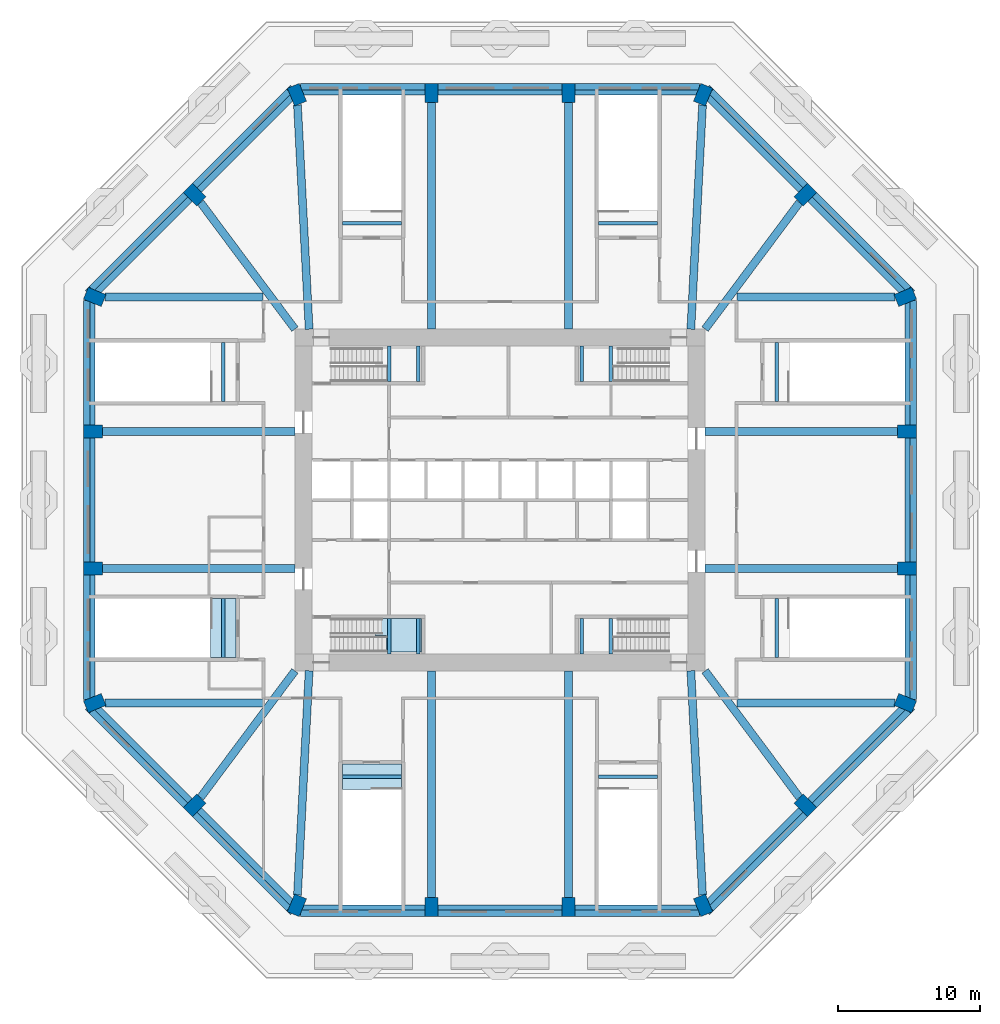
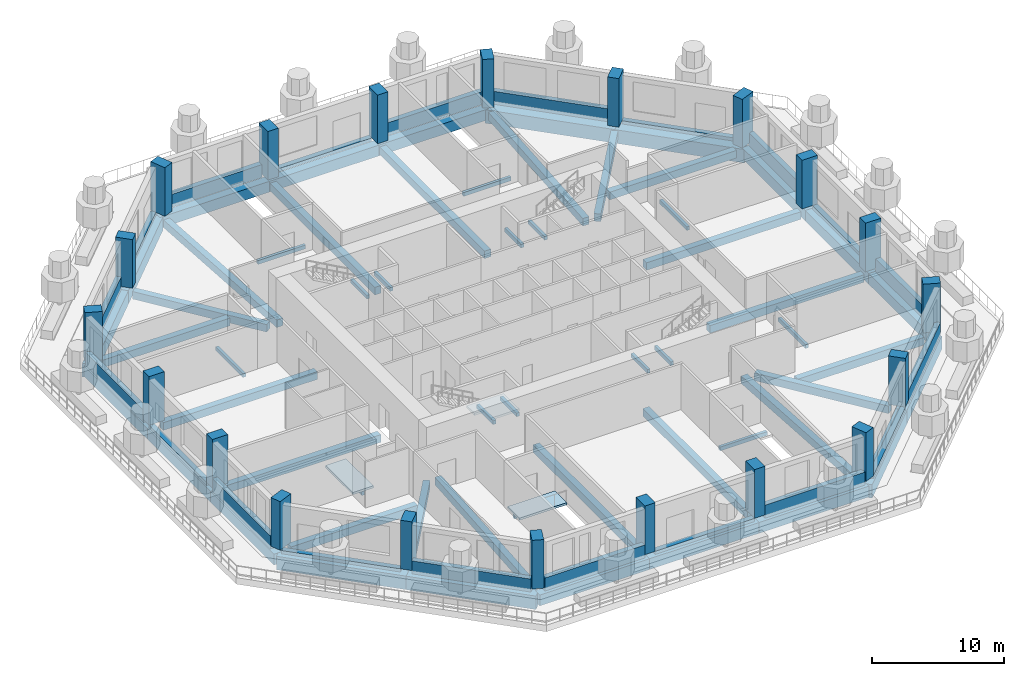
# One storey, part 1 of 13: 76 beams, 20 columns, 3 slabs, 1 element without a shape of its own.
"""IFC4 building model written with IfcOpenShell, lengths in metres."""

from ifc_helpers import new_model, si_unit, direction, frame, origin, origin_2d, place, context, subcontext, project, spatial, polyline, rectangle, outline, extrude, material, layer, layer_set, material_profile, profile_set, type_object, element, aggregate, save


model = new_model("IFC4")

# Units and contexts
model_context = context("Model", 3, precision=1e-05, world=origin(), true_north=direction((0.0, 1.0)))
body_context = subcontext(model_context, "Body", "Model", "MODEL_VIEW")
ifc_project = project(units=[si_unit("LENGTHUNIT", "METRE"), si_unit("AREAUNIT", "SQUARE_METRE"), si_unit("VOLUMEUNIT", "CUBIC_METRE"), si_unit("PLANEANGLEUNIT", "RADIAN"), si_unit("MASSUNIT", "GRAM", prefix="KILO")], contexts=[model_context])

# Site, building, storey
site_placement = place(None, origin())
site = spatial("IfcSite", under=ifc_project, at=site_placement, CompositionType="ELEMENT")
building_placement = place(site_placement, origin())
building = spatial("IfcBuilding", under=site, at=building_placement, Name="Msitu Wima Residences", CompositionType="ELEMENT")
storey_placement = place(building_placement, frame((0.0, 0.0, 21.0)))
storey = spatial("IfcBuildingStorey", under=building, at=storey_placement, Name="L04", CompositionType="ELEMENT", Elevation=21.0)

# Columns
ifc_material_1 = material(Name="Concrete C80/95", Category="concrete")
ifc_material_profile_1 = material_profile(ifc_material_1, rectangle(XDim=0.89990234375, YDim=1.35009765625, at=origin_2d()), Name="RC 900x1350")
ifc_profile_set_1 = profile_set([ifc_material_profile_1], Name="Concrete C80/95")
column_type = type_object("IfcColumnType", Name="Column RC 900x1350 Concrete C80/95", PredefinedType="COLUMN", material=ifc_profile_set_1)
for number, where, z_axis, x_axis, name in (
    (1, (28.4541015625, -14.2568359375, 0.0), (0.0, 0.0, 1.0), (0.382683496864, 0.923879505795, 0.0), "Column L04 C-E0"),
    (2, (28.574951171875, -4.800048828125, 0.0), (0.0, 0.0, 1.0), (0.0, 1.0, 0.0), "Column L04 C-E1"),
    (3, (28.574951171875, 4.800048828125, 0.0), (0.0, 0.0, 1.0), (0.0, 1.0, 0.0), "Column L04 C-E2"),
    (4, (28.4541015625, 14.2568359375, 0.0), (0.0, 0.0, 1.0), (-0.382683496864, 0.923879505795, 0.0), "Column L04 C-NE0"),
    (5, (21.44091796875, 21.44091796875, 0.0), (0.0, 0.0, 1.0), (-0.707106781187, 0.707106781187, 0.0), "Column L04 C-NE1"),
    (6, (14.2568359375, 28.4541015625, 0.0), (0.0, 0.0, 1.0), (-0.923879505795, 0.382683496864, 0.0), "Column L04 C-N0"),
    (7, (4.800048828125, 28.574951171875, 0.0), (0.0, 0.0, 1.0), (-1.0, 0.0, 0.0), "Column L04 C-N1"),
    (8, (-4.800048828125, 28.574951171875, 0.0), (0.0, 0.0, 1.0), (-1.0, 0.0, 0.0), "Column L04 C-N2"),
    (9, (-14.2568359375, 28.4541015625, 0.0), (0.0, 0.0, 1.0), (-0.923879505795, -0.382683496864, 0.0), "Column L04 C-NW0"),
    (10, (-21.44091796875, 21.44091796875, 0.0), (0.0, 0.0, 1.0), (-0.707106781187, -0.707106781187, 0.0), "Column L04 C-NW1"),
    (11, (-28.4541015625, 14.2568359375, 0.0), (0.0, 0.0, 1.0), (-0.382683496864, -0.923879505795, 0.0), "Column L04 C-W0"),
    (12, (-28.574951171875, 4.800048828125, 0.0), (0.0, 0.0, 1.0), (0.0, -1.0, 0.0), "Column L04 C-W1"),
    (13, (-28.574951171875, -4.800048828125, 0.0), (0.0, 0.0, 1.0), (0.0, -1.0, 0.0), "Column L04 C-W2"),
    (14, (-28.4541015625, -14.2568359375, 0.0), (0.0, 0.0, 1.0), (0.382683496864, -0.923879505795, 0.0), "Column L04 C-SW0"),
    (15, (-21.44091796875, -21.44091796875, 0.0), (0.0, 0.0, 1.0), (0.707106781187, -0.707106781187, 0.0), "Column L04 C-SW1"),
    (16, (-14.2568359375, -28.4541015625, 0.0), (0.0, 0.0, 1.0), (0.923879505795, -0.382683496864, 0.0), "Column L04 C-S0"),
    (17, (-4.800048828125, -28.574951171875, 0.0), (0.0, 0.0, 1.0), (1.0, 0.0, 0.0), "Column L04 C-S1"),
    (18, (4.800048828125, -28.574951171875, 0.0), (0.0, 0.0, 1.0), (1.0, 0.0, 0.0), "Column L04 C-S2"),
    (19, (14.2568359375, -28.4541015625, 0.0), (0.0, 0.0, 1.0), (0.923879505795, 0.382683496864, 0.0), "Column L04 C-SE0"),
    (20, (21.44091796875, -21.44091796875, 0.0), (0.0, 0.0, 1.0), (0.707106781187, 0.707106781187, 0.0), "Column L04 C-SE1"),
):
    element("IfcColumn", number, at=place(storey_placement, frame(where, z_axis=z_axis, x_axis=x_axis)), inside=storey, type_object=column_type, Name=name, PredefinedType="COLUMN", context=body_context, shape_type="SweptSolid", body=[
        extrude(rectangle(XDim=0.89990234375, YDim=1.35009765625, at=origin_2d()), origin(), (0.0, 0.0, 1.0), 4.5),
    ])

# Beams
ifc_material_2 = material(Name="Concrete C50/60", Category="concrete")
ifc_material_profile_2 = material_profile(ifc_material_2, rectangle(XDim=0.550048828125, YDim=0.699951171875, at=origin_2d()), Name="RC 550x700")
ifc_profile_set_2 = profile_set([ifc_material_profile_2], Name="Concrete C50/60")
beam_type_1 = type_object("IfcBeamType", Name="Beam RC 550x700 Concrete C50/60", PredefinedType="BEAM", material=ifc_profile_set_2)
for number, where, z_axis, x_axis, name in (
    (21, (27.89990234375, -4.800048828125, -0.699951171875), (-1.0, 0.0, 0.0), (0.0, -1.0, 0.0), "Beam L04 C-E1"),
    (22, (27.89990234375, 4.800048828125, -0.699951171875), (-1.0, 0.0, 0.0), (0.0, -1.0, 0.0), "Beam L04 C-E2"),
):
    element("IfcBeam", number, at=place(storey_placement, frame(where, z_axis=z_axis, x_axis=x_axis)), inside=storey, type_object=beam_type_1, Name=name, PredefinedType="BEAM", context=body_context, shape_type="SweptSolid", body=[
        extrude(rectangle(XDim=0.550048828125, YDim=0.699951171875, at=origin_2d()), origin(), (0.0, 0.0, 1.0), 13.5),
    ])
beam_1_placement = place(storey_placement, frame((21.033203125, 20.89404296875, -0.699951171875), z_axis=(-0.597850242031, -0.801607814398, 0.0), x_axis=(0.801607814398, -0.597850242031, 0.0)))
element("IfcBeam", 23, at=beam_1_placement, inside=storey, type_object=beam_type_1, Name="Beam L04 C-NE1", PredefinedType="BEAM", context=body_context, shape_type="SweptSolid", body=[
    extrude(rectangle(XDim=0.550048828125, YDim=0.699951171875, at=origin_2d()), origin(), (0.0, 0.0, 1.0), 11.09521484375),
])
beam_2_placement = place(storey_placement, frame((14.219482421875, 27.739013671875, -0.699951171875), z_axis=(-0.05199418091, -0.998647387796, 0.0), x_axis=(0.998647387796, -0.05199418091, 0.0)))
element("IfcBeam", 24, at=beam_2_placement, inside=storey, type_object=beam_type_1, Name="Beam L04 C-N0", PredefinedType="BEAM", context=body_context, shape_type="SweptSolid", body=[
    extrude(rectangle(XDim=0.550048828125, YDim=0.699951171875, at=origin_2d()), origin(), (0.0, 0.0, 1.0), 15.772216796875),
])
for number, where, z_axis, x_axis, name in (
    (25, (4.800048828125, 27.89990234375, -0.699951171875), (0.0, -1.0, 0.0), (1.0, 0.0, 0.0), "Beam L04 C-N1"),
    (26, (-4.800048828125, 27.89990234375, -0.699951171875), (0.0, -1.0, 0.0), (1.0, 0.0, 0.0), "Beam L04 C-N2"),
):
    element("IfcBeam", number, at=place(storey_placement, frame(where, z_axis=z_axis, x_axis=x_axis)), inside=storey, type_object=beam_type_1, Name=name, PredefinedType="BEAM", context=body_context, shape_type="SweptSolid", body=[
        extrude(rectangle(XDim=0.550048828125, YDim=0.699951171875, at=origin_2d()), origin(), (0.0, 0.0, 1.0), 15.89990234375),
    ])
beam_3_placement = place(storey_placement, frame((-14.219482421875, 27.739013671875, -0.699951171875), z_axis=(0.05199418091, -0.998647387796, 0.0), x_axis=(0.998647387796, 0.05199418091, 0.0)))
element("IfcBeam", 27, at=beam_3_placement, inside=storey, type_object=beam_type_1, Name="Beam L04 C-NW0", PredefinedType="BEAM", context=body_context, shape_type="SweptSolid", body=[
    extrude(rectangle(XDim=0.550048828125, YDim=0.699951171875, at=origin_2d()), origin(), (0.0, 0.0, 1.0), 15.772216796875),
])
beam_4_placement = place(storey_placement, frame((-21.033203125, 20.89404296875, -0.699951171875), z_axis=(0.597850242031, -0.801607814398, 0.0), x_axis=(0.801607814398, 0.597850242031, 0.0)))
element("IfcBeam", 28, at=beam_4_placement, inside=storey, type_object=beam_type_1, Name="Beam L04 C-NW1", PredefinedType="BEAM", context=body_context, shape_type="SweptSolid", body=[
    extrude(rectangle(XDim=0.550048828125, YDim=0.699951171875, at=origin_2d()), origin(), (0.0, 0.0, 1.0), 11.09521484375),
])
for number, where, z_axis, x_axis, name in (
    (29, (-27.89990234375, 4.800048828125, -0.699951171875), (1.0, 0.0, 0.0), (0.0, 1.0, 0.0), "Beam L04 C-W1"),
    (30, (-27.89990234375, -4.800048828125, -0.699951171875), (1.0, 0.0, 0.0), (0.0, 1.0, 0.0), "Beam L04 C-W2"),
):
    element("IfcBeam", number, at=place(storey_placement, frame(where, z_axis=z_axis, x_axis=x_axis)), inside=storey, type_object=beam_type_1, Name=name, PredefinedType="BEAM", context=body_context, shape_type="SweptSolid", body=[
        extrude(rectangle(XDim=0.550048828125, YDim=0.699951171875, at=origin_2d()), origin(), (0.0, 0.0, 1.0), 13.5),
    ])
beam_5_placement = place(storey_placement, frame((-21.033203125, -20.89404296875, -0.699951171875), z_axis=(0.597850242031, 0.801607814398, 0.0), x_axis=(-0.801607814398, 0.597850242031, 0.0)))
element("IfcBeam", 31, at=beam_5_placement, inside=storey, type_object=beam_type_1, Name="Beam L04 C-SW1", PredefinedType="BEAM", context=body_context, shape_type="SweptSolid", body=[
    extrude(rectangle(XDim=0.550048828125, YDim=0.699951171875, at=origin_2d()), origin(), (0.0, 0.0, 1.0), 11.09521484375),
])
beam_6_placement = place(storey_placement, frame((-14.219482421875, -27.739013671875, -0.699951171875), z_axis=(0.05199418091, 0.998647387796, 0.0), x_axis=(-0.998647387796, 0.05199418091, 0.0)))
element("IfcBeam", 32, at=beam_6_placement, inside=storey, type_object=beam_type_1, Name="Beam L04 C-S0", PredefinedType="BEAM", context=body_context, shape_type="SweptSolid", body=[
    extrude(rectangle(XDim=0.550048828125, YDim=0.699951171875, at=origin_2d()), origin(), (0.0, 0.0, 1.0), 15.772216796875),
])
for number, where, z_axis, x_axis, name in (
    (33, (-4.800048828125, -27.89990234375, -0.699951171875), (0.0, 1.0, 0.0), (-1.0, 0.0, 0.0), "Beam L04 C-S1"),
    (34, (4.800048828125, -27.89990234375, -0.699951171875), (0.0, 1.0, 0.0), (-1.0, 0.0, 0.0), "Beam L04 C-S2"),
):
    element("IfcBeam", number, at=place(storey_placement, frame(where, z_axis=z_axis, x_axis=x_axis)), inside=storey, type_object=beam_type_1, Name=name, PredefinedType="BEAM", context=body_context, shape_type="SweptSolid", body=[
        extrude(rectangle(XDim=0.550048828125, YDim=0.699951171875, at=origin_2d()), origin(), (0.0, 0.0, 1.0), 15.89990234375),
    ])
beam_7_placement = place(storey_placement, frame((14.219482421875, -27.739013671875, -0.699951171875), z_axis=(-0.05199418091, 0.998647387796, 0.0), x_axis=(-0.998647387796, -0.05199418091, 0.0)))
element("IfcBeam", 35, at=beam_7_placement, inside=storey, type_object=beam_type_1, Name="Beam L04 C-SE0", PredefinedType="BEAM", context=body_context, shape_type="SweptSolid", body=[
    extrude(rectangle(XDim=0.550048828125, YDim=0.699951171875, at=origin_2d()), origin(), (0.0, 0.0, 1.0), 15.772216796875),
])
beam_8_placement = place(storey_placement, frame((21.033203125, -20.89404296875, -0.699951171875), z_axis=(-0.597850242031, 0.801607814398, 0.0), x_axis=(-0.801607814398, -0.597850242031, 0.0)))
element("IfcBeam", 36, at=beam_8_placement, inside=storey, type_object=beam_type_1, Name="Beam L04 C-SE1", PredefinedType="BEAM", context=body_context, shape_type="SweptSolid", body=[
    extrude(rectangle(XDim=0.550048828125, YDim=0.699951171875, at=origin_2d()), origin(), (0.0, 0.0, 1.0), 11.09521484375),
])
for number, where, z_axis, x_axis, name in (
    (37, (27.7236328125, -14.2568359375, -0.699951171875), (-1.0, 0.0, 0.0), (0.0, -1.0, 0.0), "Beam L04 C-E0"),
    (38, (27.7236328125, 14.2568359375, -0.699951171875), (-1.0, 0.0, 0.0), (0.0, -1.0, 0.0), "Beam L04 C-NE0"),
    (39, (-27.7236328125, 14.2568359375, -0.699951171875), (1.0, 0.0, 0.0), (0.0, 1.0, 0.0), "Beam L04 C-W0"),
    (40, (-27.7236328125, -14.2568359375, -0.699951171875), (1.0, 0.0, 0.0), (0.0, 1.0, 0.0), "Beam L04 C-SW0"),
):
    element("IfcBeam", number, at=place(storey_placement, frame(where, z_axis=z_axis, x_axis=x_axis)), inside=storey, type_object=beam_type_1, Name=name, PredefinedType="BEAM", context=body_context, shape_type="SweptSolid", body=[
        extrude(rectangle(XDim=0.550048828125, YDim=0.699951171875, at=origin_2d()), origin(), (0.0, 0.0, 1.0), 11.092529296875),
    ])
ifc_material_profile_3 = material_profile(ifc_material_2, rectangle(XDim=0.449951171875, YDim=0.300048828125, at=origin_2d()), Name="RC 450x300")
ifc_profile_set_3 = profile_set([ifc_material_profile_3], Name="Concrete C50/60")
beam_type_2 = type_object("IfcBeamType", Name="Edge beam RC 450x300 Concrete C50/60", PredefinedType="SPANDREL", material=ifc_profile_set_3)
beam_9_placement = place(storey_placement, frame((29.02490234375, -4.35009765625, -0.14990234375), z_axis=(0.0, 1.0, 0.0), x_axis=(-1.0, 0.0, 0.0)))
element("IfcBeam", 41, at=beam_9_placement, inside=storey, type_object=beam_type_2, Name="Spandrel L04 E1", PredefinedType="SPANDREL", context=body_context, shape_type="SweptSolid", body=[
    extrude(rectangle(XDim=0.449951171875, YDim=0.300048828125, at=origin_2d()), origin(), (0.0, 0.0, 1.0), 8.7001953125),
])
beam_10_placement = place(storey_placement, frame((28.68896484375, 14.8291015625, -0.14990234375), z_axis=(-0.707093725903, 0.707119836229, 0.0), x_axis=(-0.707119836229, -0.707093725903, 0.0)))
element("IfcBeam", 42, at=beam_10_placement, inside=storey, type_object=beam_type_2, Name="Spandrel L04 NE0", PredefinedType="SPANDREL", context=body_context, shape_type="SweptSolid", body=[
    extrude(rectangle(XDim=0.449951171875, YDim=0.300048828125, at=origin_2d()), origin(), (0.0, 0.0, 1.0), 9.350341796875),
])
beam_11_placement = place(storey_placement, frame((4.35009765625, 29.02490234375, -0.14990234375), z_axis=(-1.0, 0.0, 0.0), x_axis=(0.0, -1.0, 0.0)))
element("IfcBeam", 43, at=beam_11_placement, inside=storey, type_object=beam_type_2, Name="Spandrel L04 N1", PredefinedType="SPANDREL", context=body_context, shape_type="SweptSolid", body=[
    extrude(rectangle(XDim=0.449951171875, YDim=0.300048828125, at=origin_2d()), origin(), (0.0, 0.0, 1.0), 8.7001953125),
])
beam_12_placement = place(storey_placement, frame((-14.8291015625, 28.68896484375, -0.14990234375), z_axis=(-0.707119836229, -0.707093725903, 0.0), x_axis=(0.707093725903, -0.707119836229, 0.0)))
element("IfcBeam", 44, at=beam_12_placement, inside=storey, type_object=beam_type_2, Name="Spandrel L04 NW0", PredefinedType="SPANDREL", context=body_context, shape_type="SweptSolid", body=[
    extrude(rectangle(XDim=0.449951171875, YDim=0.300048828125, at=origin_2d()), origin(), (0.0, 0.0, 1.0), 9.350341796875),
])
beam_13_placement = place(storey_placement, frame((-29.02490234375, 4.35009765625, -0.14990234375), z_axis=(0.0, -1.0, 0.0), x_axis=(1.0, 0.0, 0.0)))
element("IfcBeam", 45, at=beam_13_placement, inside=storey, type_object=beam_type_2, Name="Spandrel L04 W1", PredefinedType="SPANDREL", context=body_context, shape_type="SweptSolid", body=[
    extrude(rectangle(XDim=0.449951171875, YDim=0.300048828125, at=origin_2d()), origin(), (0.0, 0.0, 1.0), 8.7001953125),
])
beam_14_placement = place(storey_placement, frame((-28.68896484375, -14.8291015625, -0.14990234375), z_axis=(0.707093725903, -0.707119836229, 0.0), x_axis=(0.707119836229, 0.707093725903, 0.0)))
element("IfcBeam", 46, at=beam_14_placement, inside=storey, type_object=beam_type_2, Name="Spandrel L04 SW0", PredefinedType="SPANDREL", context=body_context, shape_type="SweptSolid", body=[
    extrude(rectangle(XDim=0.449951171875, YDim=0.300048828125, at=origin_2d()), origin(), (0.0, 0.0, 1.0), 9.350341796875),
])
beam_15_placement = place(storey_placement, frame((-4.35009765625, -29.02490234375, -0.14990234375), z_axis=(1.0, 0.0, 0.0), x_axis=(0.0, 1.0, 0.0)))
element("IfcBeam", 47, at=beam_15_placement, inside=storey, type_object=beam_type_2, Name="Spandrel L04 S1", PredefinedType="SPANDREL", context=body_context, shape_type="SweptSolid", body=[
    extrude(rectangle(XDim=0.449951171875, YDim=0.300048828125, at=origin_2d()), origin(), (0.0, 0.0, 1.0), 8.7001953125),
])
beam_16_placement = place(storey_placement, frame((14.8291015625, -28.68896484375, -0.14990234375), z_axis=(0.707119836229, 0.707093725903, 0.0), x_axis=(-0.707093725903, 0.707119836229, 0.0)))
element("IfcBeam", 48, at=beam_16_placement, inside=storey, type_object=beam_type_2, Name="Spandrel L04 SE0", PredefinedType="SPANDREL", context=body_context, shape_type="SweptSolid", body=[
    extrude(rectangle(XDim=0.449951171875, YDim=0.300048828125, at=origin_2d()), origin(), (0.0, 0.0, 1.0), 9.350341796875),
])
ifc_material_3 = material(Name="Concrete C40/50", Category="concrete")
ifc_material_profile_4 = material_profile(ifc_material_3, rectangle(XDim=0.25, YDim=0.35009765625, at=origin_2d()), Name="RC 250x350")
ifc_profile_set_4 = profile_set([ifc_material_profile_4], Name="Concrete C40/50")
beam_type_3 = type_object("IfcBeamType", Name="Landing beam RC 250x350", PredefinedType="BEAM", material=ifc_profile_set_4)
for number, where, z_axis, x_axis, name in (
    (49, (-7.77490234375, 8.324951171875, 1.958251953125), (0.0, 1.0, 0.0), (-1.0, 0.0, 0.0), "Stair 1 landing beam"),
    (50, (-5.72509765625, 8.324951171875, 1.958251953125), (0.0, 1.0, 0.0), (-1.0, 0.0, 0.0), "Stair 1 landing beam"),
    (51, (-7.77490234375, -10.824951171875, 1.958251953125), (0.0, 1.0, 0.0), (-1.0, 0.0, 0.0), "Stair 2 landing beam"),
    (52, (-5.72509765625, -10.824951171875, 1.958251953125), (0.0, 1.0, 0.0), (-1.0, 0.0, 0.0), "Stair 2 landing beam"),
    (53, (7.77490234375, 8.324951171875, 1.958251953125), (0.0, 1.0, 0.0), (-1.0, 0.0, 0.0), "Stair 3 landing beam"),
    (54, (5.72509765625, 8.324951171875, 1.958251953125), (0.0, 1.0, 0.0), (-1.0, 0.0, 0.0), "Stair 3 landing beam"),
    (55, (7.77490234375, -10.824951171875, 1.958251953125), (0.0, 1.0, 0.0), (-1.0, 0.0, 0.0), "Stair 4 landing beam"),
    (56, (5.72509765625, -10.824951171875, 1.958251953125), (0.0, 1.0, 0.0), (-1.0, 0.0, 0.0), "Stair 4 landing beam"),
):
    element("IfcBeam", number, at=place(storey_placement, frame(where, z_axis=z_axis, x_axis=x_axis)), inside=storey, type_object=beam_type_3, Name=name, PredefinedType="BEAM", context=body_context, shape_type="SweptSolid", body=[
        extrude(rectangle(XDim=0.25, YDim=0.35009765625, at=origin_2d()), origin(), (0.0, 0.0, 1.0), 2.5),
    ])
for number, where, z_axis, x_axis, name in (
    (57, (19.425048828125, 6.925048828125, -0.375), (0.0, 1.0, 0.0), (-1.0, 0.0, 0.0), "Podium exit stair 1 floor landing beam"),
    (58, (19.425048828125, -6.925048828125, -0.375), (0.0, -1.0, 0.0), (1.0, 0.0, 0.0), "Podium exit stair 2 floor landing beam"),
    (59, (-6.925048828125, 19.425048828125, -0.375), (-1.0, 0.0, 0.0), (0.0, -1.0, 0.0), "Podium exit stair 3 floor landing beam"),
    (60, (6.925048828125, 19.425048828125, -0.375), (1.0, 0.0, 0.0), (0.0, 1.0, 0.0), "Podium exit stair 4 floor landing beam"),
    (61, (-19.425048828125, -6.925048828125, -0.375), (0.0, -1.0, 0.0), (1.0, 0.0, 0.0), "Podium exit stair 5 floor landing beam"),
    (62, (-19.425048828125, 6.925048828125, -0.375), (0.0, 1.0, 0.0), (-1.0, 0.0, 0.0), "Podium exit stair 6 floor landing beam"),
    (63, (6.925048828125, -19.425048828125, -0.375), (1.0, 0.0, 0.0), (0.0, 1.0, 0.0), "Podium exit stair 7 floor landing beam"),
    (64, (-6.925048828125, -19.425048828125, -0.375), (-1.0, 0.0, 0.0), (0.0, -1.0, 0.0), "Podium exit stair 8 floor landing beam"),
):
    element("IfcBeam", number, at=place(storey_placement, frame(where, z_axis=z_axis, x_axis=x_axis)), inside=storey, type_object=beam_type_3, Name=name, PredefinedType="BEAM", context=body_context, shape_type="SweptSolid", body=[
        extrude(rectangle(XDim=0.25, YDim=0.35009765625, at=origin_2d()), origin(), (0.0, 0.0, 1.0), 4.14990234375),
    ])
ifc_material_profile_5 = material_profile(ifc_material_2, rectangle(XDim=0.449951171875, YDim=1.199951171875, at=origin_2d()), Name="RC 450x1200")
ifc_profile_set_5 = profile_set([ifc_material_profile_5], Name="Concrete C50/60")
beam_type_4 = type_object("IfcBeamType", Name="Spandrel RC 450x1200 Concrete C50/60", PredefinedType="SPANDREL", material=ifc_profile_set_5)
for number, where, z_axis, x_axis, name in (
    (65, (29.02490234375, -14.01806640625, 0.300048828125), (0.0, 1.0, 0.0), (-1.0, 0.0, 0.0), "Spandrel L04 E0"),
    (66, (29.02490234375, 5.25, 0.300048828125), (0.0, 1.0, 0.0), (-1.0, 0.0, 0.0), "Spandrel L04 E2"),
):
    element("IfcBeam", number, at=place(storey_placement, frame(where, z_axis=z_axis, x_axis=x_axis)), inside=storey, type_object=beam_type_4, Name=name, PredefinedType="SPANDREL", context=body_context, shape_type="SweptSolid", body=[
        extrude(rectangle(XDim=0.449951171875, YDim=1.199951171875, at=origin_2d()), origin(), (0.0, 0.0, 1.0), 8.76806640625),
    ])
beam_17_placement = place(storey_placement, frame((21.44091796875, 22.077392578125, 0.300048828125), z_axis=(-0.707119836229, 0.707093725903, 0.0), x_axis=(-0.707093725903, -0.707119836229, 0.0)))
element("IfcBeam", 67, at=beam_17_placement, inside=storey, type_object=beam_type_4, Name="Spandrel L04 NE1", PredefinedType="SPANDREL", context=body_context, shape_type="SweptSolid", body=[
    extrude(rectangle(XDim=0.449951171875, YDim=1.199951171875, at=origin_2d()), origin(), (0.0, 0.0, 1.0), 9.350341796875),
])
for number, where, z_axis, x_axis, name in (
    (68, (14.01806640625, 29.02490234375, 0.300048828125), (-1.0, 0.0, 0.0), (0.0, -1.0, 0.0), "Spandrel L04 N0"),
    (69, (-5.25, 29.02490234375, 0.300048828125), (-1.0, 0.0, 0.0), (0.0, -1.0, 0.0), "Spandrel L04 N2"),
):
    element("IfcBeam", number, at=place(storey_placement, frame(where, z_axis=z_axis, x_axis=x_axis)), inside=storey, type_object=beam_type_4, Name=name, PredefinedType="SPANDREL", context=body_context, shape_type="SweptSolid", body=[
        extrude(rectangle(XDim=0.449951171875, YDim=1.199951171875, at=origin_2d()), origin(), (0.0, 0.0, 1.0), 8.76806640625),
    ])
beam_18_placement = place(storey_placement, frame((-22.077392578125, 21.44091796875, 0.300048828125), z_axis=(-0.707093725903, -0.707119836229, 0.0), x_axis=(0.707119836229, -0.707093725903, 0.0)))
element("IfcBeam", 70, at=beam_18_placement, inside=storey, type_object=beam_type_4, Name="Spandrel L04 NW1", PredefinedType="SPANDREL", context=body_context, shape_type="SweptSolid", body=[
    extrude(rectangle(XDim=0.449951171875, YDim=1.199951171875, at=origin_2d()), origin(), (0.0, 0.0, 1.0), 9.350341796875),
])
for number, where, z_axis, x_axis, name in (
    (71, (-29.02490234375, 14.01806640625, 0.300048828125), (0.0, -1.0, 0.0), (1.0, 0.0, 0.0), "Spandrel L04 W0"),
    (72, (-29.02490234375, -5.25, 0.300048828125), (0.0, -1.0, 0.0), (1.0, 0.0, 0.0), "Spandrel L04 W2"),
):
    element("IfcBeam", number, at=place(storey_placement, frame(where, z_axis=z_axis, x_axis=x_axis)), inside=storey, type_object=beam_type_4, Name=name, PredefinedType="SPANDREL", context=body_context, shape_type="SweptSolid", body=[
        extrude(rectangle(XDim=0.449951171875, YDim=1.199951171875, at=origin_2d()), origin(), (0.0, 0.0, 1.0), 8.76806640625),
    ])
beam_19_placement = place(storey_placement, frame((-21.44091796875, -22.077392578125, 0.300048828125), z_axis=(0.707119836229, -0.707093725903, 0.0), x_axis=(0.707093725903, 0.707119836229, 0.0)))
element("IfcBeam", 73, at=beam_19_placement, inside=storey, type_object=beam_type_4, Name="Spandrel L04 SW1", PredefinedType="SPANDREL", context=body_context, shape_type="SweptSolid", body=[
    extrude(rectangle(XDim=0.449951171875, YDim=1.199951171875, at=origin_2d()), origin(), (0.0, 0.0, 1.0), 9.350341796875),
])
for number, where, z_axis, x_axis, name in (
    (74, (-14.01806640625, -29.02490234375, 0.300048828125), (1.0, 0.0, 0.0), (0.0, 1.0, 0.0), "Spandrel L04 S0"),
    (75, (5.25, -29.02490234375, 0.300048828125), (1.0, 0.0, 0.0), (0.0, 1.0, 0.0), "Spandrel L04 S2"),
):
    element("IfcBeam", number, at=place(storey_placement, frame(where, z_axis=z_axis, x_axis=x_axis)), inside=storey, type_object=beam_type_4, Name=name, PredefinedType="SPANDREL", context=body_context, shape_type="SweptSolid", body=[
        extrude(rectangle(XDim=0.449951171875, YDim=1.199951171875, at=origin_2d()), origin(), (0.0, 0.0, 1.0), 8.76806640625),
    ])
beam_20_placement = place(storey_placement, frame((22.077392578125, -21.44091796875, 0.300048828125), z_axis=(0.707093725903, 0.707119836229, 0.0), x_axis=(-0.707119836229, 0.707093725903, 0.0)))
element("IfcBeam", 76, at=beam_20_placement, inside=storey, type_object=beam_type_4, Name="Spandrel L04 SE1", PredefinedType="SPANDREL", context=body_context, shape_type="SweptSolid", body=[
    extrude(rectangle(XDim=0.449951171875, YDim=1.199951171875, at=origin_2d()), origin(), (0.0, 0.0, 1.0), 9.350341796875),
])
ifc_material_4 = material(Name="Concrete C60/75", Category="concrete")
ifc_material_profile_6 = material_profile(ifc_material_4, rectangle(XDim=0.699951171875, YDim=1.0, at=origin_2d()), Name="RC 700x1000")
ifc_profile_set_6 = profile_set([ifc_material_profile_6], Name="Concrete C60/75")
beam_type_5 = type_object("IfcBeamType", Name="Terrace beam RC 700x1000 Concrete C60/75", PredefinedType="BEAM", material=ifc_profile_set_6)
beam_21_placement = place(storey_placement, frame((28.800048828125, -14.39990234375, -1.10009765625), z_axis=(0.0, 1.0, 0.0), x_axis=(-1.0, 0.0, 0.0)))
element("IfcBeam", 77, at=beam_21_placement, inside=storey, type_object=beam_type_5, Name="Terrace upstand-line beam L04 C-E0", PredefinedType="BEAM", context=body_context, shape_type="SweptSolid", body=[
    extrude(rectangle(XDim=0.699951171875, YDim=1.0, at=origin_2d()), origin(), (0.0, 0.0, 1.0), 9.599853515625),
])
beam_22_placement = place(storey_placement, frame((28.800048828125, -4.800048828125, -1.10009765625), z_axis=(0.0, 1.0, 0.0), x_axis=(-1.0, 0.0, 0.0)))
element("IfcBeam", 78, at=beam_22_placement, inside=storey, type_object=beam_type_5, Name="Terrace upstand-line beam L04 C-E1", PredefinedType="BEAM", context=body_context, shape_type="SweptSolid", body=[
    extrude(rectangle(XDim=0.699951171875, YDim=1.0, at=origin_2d()), origin(), (0.0, 0.0, 1.0), 9.60009765625),
])
for number, where, z_axis, x_axis, name in (
    (79, (28.800048828125, 4.800048828125, -1.10009765625), (0.0, 1.0, 0.0), (-1.0, 0.0, 0.0), "Terrace upstand-line beam L04 C-E2"),
    (80, (14.39990234375, 28.800048828125, -1.10009765625), (-1.0, 0.0, 0.0), (0.0, -1.0, 0.0), "Terrace upstand-line beam L04 C-N0"),
):
    element("IfcBeam", number, at=place(storey_placement, frame(where, z_axis=z_axis, x_axis=x_axis)), inside=storey, type_object=beam_type_5, Name=name, PredefinedType="BEAM", context=body_context, shape_type="SweptSolid", body=[
        extrude(rectangle(XDim=0.699951171875, YDim=1.0, at=origin_2d()), origin(), (0.0, 0.0, 1.0), 9.599853515625),
    ])
beam_23_placement = place(storey_placement, frame((4.800048828125, 28.800048828125, -1.10009765625), z_axis=(-1.0, 0.0, 0.0), x_axis=(0.0, -1.0, 0.0)))
element("IfcBeam", 81, at=beam_23_placement, inside=storey, type_object=beam_type_5, Name="Terrace upstand-line beam L04 C-N1", PredefinedType="BEAM", context=body_context, shape_type="SweptSolid", body=[
    extrude(rectangle(XDim=0.699951171875, YDim=1.0, at=origin_2d()), origin(), (0.0, 0.0, 1.0), 9.60009765625),
])
for number, where, z_axis, x_axis, name in (
    (82, (-4.800048828125, 28.800048828125, -1.10009765625), (-1.0, 0.0, 0.0), (0.0, -1.0, 0.0), "Terrace upstand-line beam L04 C-N2"),
    (83, (-28.800048828125, 14.39990234375, -1.10009765625), (0.0, -1.0, 0.0), (1.0, 0.0, 0.0), "Terrace upstand-line beam L04 C-W0"),
):
    element("IfcBeam", number, at=place(storey_placement, frame(where, z_axis=z_axis, x_axis=x_axis)), inside=storey, type_object=beam_type_5, Name=name, PredefinedType="BEAM", context=body_context, shape_type="SweptSolid", body=[
        extrude(rectangle(XDim=0.699951171875, YDim=1.0, at=origin_2d()), origin(), (0.0, 0.0, 1.0), 9.599853515625),
    ])
beam_24_placement = place(storey_placement, frame((-28.800048828125, 4.800048828125, -1.10009765625), z_axis=(0.0, -1.0, 0.0), x_axis=(1.0, 0.0, 0.0)))
element("IfcBeam", 84, at=beam_24_placement, inside=storey, type_object=beam_type_5, Name="Terrace upstand-line beam L04 C-W1", PredefinedType="BEAM", context=body_context, shape_type="SweptSolid", body=[
    extrude(rectangle(XDim=0.699951171875, YDim=1.0, at=origin_2d()), origin(), (0.0, 0.0, 1.0), 9.60009765625),
])
for number, where, z_axis, x_axis, name in (
    (85, (-28.800048828125, -4.800048828125, -1.10009765625), (0.0, -1.0, 0.0), (1.0, 0.0, 0.0), "Terrace upstand-line beam L04 C-W2"),
    (86, (-14.39990234375, -28.800048828125, -1.10009765625), (1.0, 0.0, 0.0), (0.0, 1.0, 0.0), "Terrace upstand-line beam L04 C-S0"),
):
    element("IfcBeam", number, at=place(storey_placement, frame(where, z_axis=z_axis, x_axis=x_axis)), inside=storey, type_object=beam_type_5, Name=name, PredefinedType="BEAM", context=body_context, shape_type="SweptSolid", body=[
        extrude(rectangle(XDim=0.699951171875, YDim=1.0, at=origin_2d()), origin(), (0.0, 0.0, 1.0), 9.599853515625),
    ])
beam_25_placement = place(storey_placement, frame((-4.800048828125, -28.800048828125, -1.10009765625), z_axis=(1.0, 0.0, 0.0), x_axis=(0.0, 1.0, 0.0)))
element("IfcBeam", 87, at=beam_25_placement, inside=storey, type_object=beam_type_5, Name="Terrace upstand-line beam L04 C-S1", PredefinedType="BEAM", context=body_context, shape_type="SweptSolid", body=[
    extrude(rectangle(XDim=0.699951171875, YDim=1.0, at=origin_2d()), origin(), (0.0, 0.0, 1.0), 9.60009765625),
])
beam_26_placement = place(storey_placement, frame((4.800048828125, -28.800048828125, -1.10009765625), z_axis=(1.0, 0.0, 0.0), x_axis=(0.0, 1.0, 0.0)))
element("IfcBeam", 88, at=beam_26_placement, inside=storey, type_object=beam_type_5, Name="Terrace upstand-line beam L04 C-S2", PredefinedType="BEAM", context=body_context, shape_type="SweptSolid", body=[
    extrude(rectangle(XDim=0.699951171875, YDim=1.0, at=origin_2d()), origin(), (0.0, 0.0, 1.0), 9.599853515625),
])
ifc_material_profile_7 = material_profile(ifc_material_4, rectangle(XDim=0.89990234375, YDim=1.25, at=origin_2d()), Name="RC 900x1250")
ifc_profile_set_7 = profile_set([ifc_material_profile_7], Name="Concrete C60/75")
beam_type_6 = type_object("IfcBeamType", Name="Terrace beam RC 900x1250 Concrete C60/75", PredefinedType="BEAM", material=ifc_profile_set_7)
for number, where, z_axis, x_axis, name in (
    (89, (28.800048828125, 14.39990234375, -1.22509765625), (-0.70709479277, 0.7071187694, 0.0), (-0.7071187694, -0.70709479277, 0.0), "Terrace upstand-line beam L04 C-NE0"),
    (90, (21.60009765625, 21.60009765625, -1.22509765625), (-0.7071187694, 0.70709479277, 0.0), (-0.70709479277, -0.7071187694, 0.0), "Terrace upstand-line beam L04 C-NE1"),
    (91, (-14.39990234375, 28.800048828125, -1.22509765625), (-0.7071187694, -0.70709479277, 0.0), (0.70709479277, -0.7071187694, 0.0), "Terrace upstand-line beam L04 C-NW0"),
    (92, (-21.60009765625, 21.60009765625, -1.22509765625), (-0.70709479277, -0.7071187694, 0.0), (0.7071187694, -0.70709479277, 0.0), "Terrace upstand-line beam L04 C-NW1"),
    (93, (-28.800048828125, -14.39990234375, -1.22509765625), (0.70709479277, -0.7071187694, 0.0), (0.7071187694, 0.70709479277, 0.0), "Terrace upstand-line beam L04 C-SW0"),
    (94, (-21.60009765625, -21.60009765625, -1.22509765625), (0.7071187694, -0.70709479277, 0.0), (0.70709479277, 0.7071187694, 0.0), "Terrace upstand-line beam L04 C-SW1"),
    (95, (14.39990234375, -28.800048828125, -1.22509765625), (0.7071187694, 0.70709479277, 0.0), (-0.70709479277, 0.7071187694, 0.0), "Terrace upstand-line beam L04 C-SE0"),
    (96, (21.60009765625, -21.60009765625, -1.22509765625), (0.70709479277, 0.7071187694, 0.0), (-0.7071187694, 0.70709479277, 0.0), "Terrace upstand-line beam L04 C-SE1"),
):
    element("IfcBeam", number, at=place(storey_placement, frame(where, z_axis=z_axis, x_axis=x_axis)), inside=storey, type_object=beam_type_6, Name=name, PredefinedType="BEAM", context=body_context, shape_type="SweptSolid", body=[
        extrude(rectangle(XDim=0.89990234375, YDim=1.25, at=origin_2d()), origin(), (0.0, 0.0, 1.0), 10.182373046875),
    ])

# Stair, slab
stair_type = type_object("IfcStairType", Name="Exit stair ES1667-110", PredefinedType="HALF_TURN_STAIR", material=ifc_material_3)
stair_placement = place(storey_placement, origin())
stair = element("IfcStair", 97, at=stair_placement, inside=storey, type_object=stair_type, Name="Exit stair 2", PredefinedType="HALF_TURN_STAIR")
ifc_layer = layer(ifc_material_3, 0.199951171875)
ifc_layer_set = layer_set([ifc_layer], Name="Concrete C40/50")
slab_type = type_object("IfcSlabType", Name="Stair landing SL200", PredefinedType="LANDING", material=ifc_layer_set)
slab_1_placement = place(storey_placement, frame((0.0, 0.0, 2.13330078125)))
slab_1 = element("IfcSlab", 98, at=slab_1_placement, type_object=slab_type, Name="S2 landing 1", PredefinedType="LANDING", context=body_context, shape_type="SweptSolid", body=[
    extrude(outline(polyline([(-5.52490234375, -10.675048828125), (-7.9755859375, -10.675048828125), (-7.9755859375, -9.5), (-8.77490234375, -9.5), (-8.77490234375, -8.324951171875), (-5.52490234375, -8.324951171875), (-5.52490234375, -10.675048828125)])), origin(), (0.0, 0.0, 1.0), 0.199951171875),
])
aggregate(stair, [slab_1])

# Slabs
slab_2_placement = place(storey_placement, frame((0.0, 0.0, -0.199951171875)))
element("IfcSlab", 99, at=slab_2_placement, inside=storey, type_object=slab_type, Name="Podium exit stair 5 floor landing", PredefinedType="LANDING", context=body_context, shape_type="SweptSolid", body=[
    extrude(outline(polyline([(-18.52490234375, -6.925048828125), (-20.324951171875, -6.925048828125), (-20.324951171875, -11.074951171875), (-18.52490234375, -11.074951171875), (-18.52490234375, -6.925048828125)])), origin(), (0.0, 0.0, 1.0), 0.199951171875),
])
slab_3_placement = place(storey_placement, frame((0.0, 0.0, -0.199951171875)))
element("IfcSlab", 100, at=slab_3_placement, inside=storey, type_object=slab_type, Name="Podium exit stair 8 floor landing", PredefinedType="LANDING", context=body_context, shape_type="SweptSolid", body=[
    extrude(outline(polyline([(-6.925048828125, -18.52490234375), (-6.925048828125, -20.324951171875), (-11.074951171875, -20.324951171875), (-11.074951171875, -18.52490234375), (-6.925048828125, -18.52490234375)])), origin(), (0.0, 0.0, 1.0), 0.199951171875),
])

save(model, "model.ifc")
